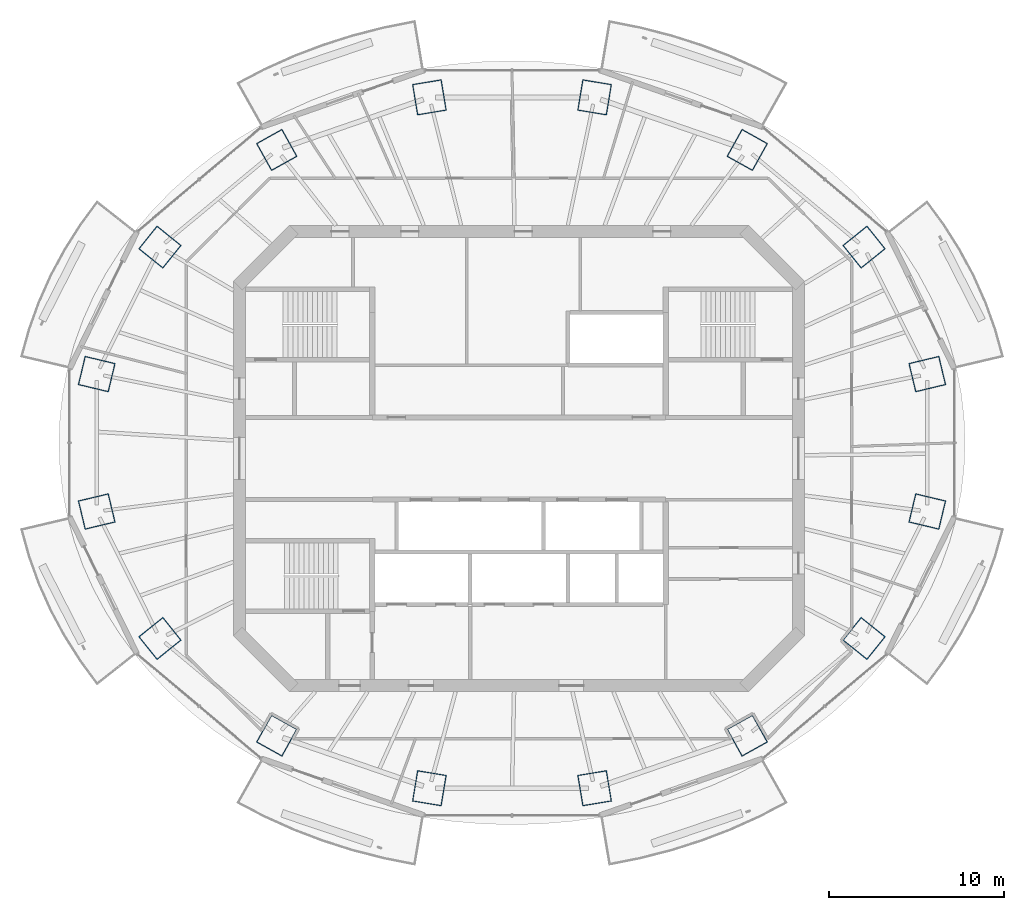
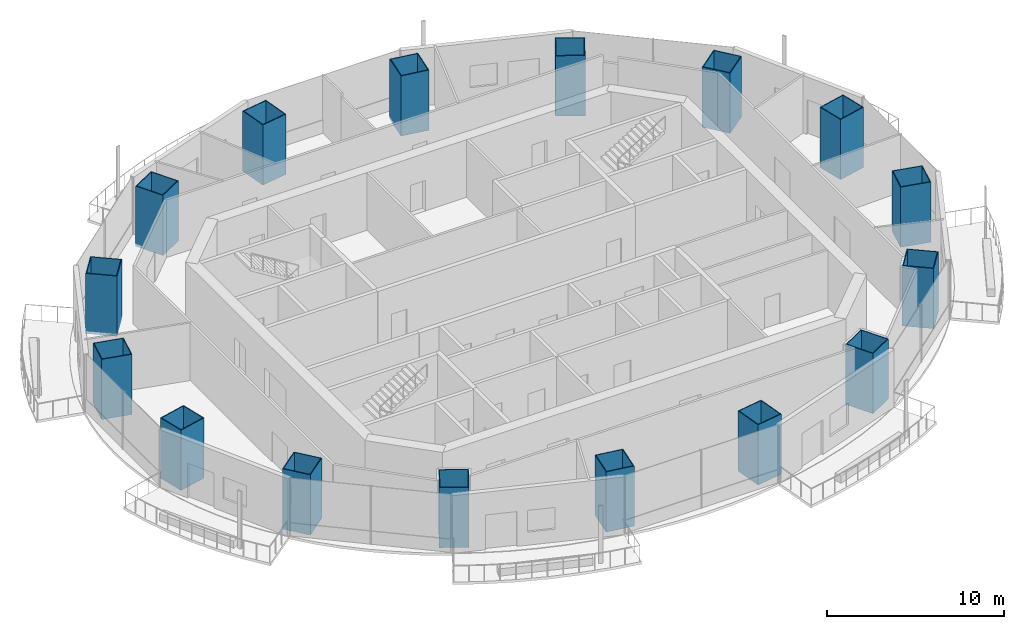
# One storey, part 1 of 16: 16 columns.
"""IFC4 building model written with IfcOpenShell, lengths in metres."""

from ifc_helpers import new_model, si_unit, direction, frame, origin, origin_2d, place, context, subcontext, project, spatial, rectangle, hollow_rectangle, extrude, material, material_profile, profile_set, type_object, element, save


model = new_model("IFC4")

# Units and contexts
model_context = context("Model", 3, precision=1e-05, world=origin(), true_north=direction((0.0, 1.0)))
body_context = subcontext(model_context, "Body", "Model", "MODEL_VIEW")
ifc_project = project(units=[si_unit("LENGTHUNIT", "METRE"), si_unit("AREAUNIT", "SQUARE_METRE"), si_unit("VOLUMEUNIT", "CUBIC_METRE"), si_unit("PLANEANGLEUNIT", "RADIAN"), si_unit("MASSUNIT", "GRAM", prefix="KILO")], contexts=[model_context])

# Site, building, storey
site_placement = place(None, origin())
site = spatial("IfcSite", under=ifc_project, at=site_placement, CompositionType="ELEMENT")
building_placement = place(site_placement, origin())
building = spatial("IfcBuilding", under=site, at=building_placement, Name="Marenthal Gate Tower", CompositionType="ELEMENT")
storey_placement = place(building_placement, frame((0.0, 0.0, 379.949951171875)))
storey = spatial("IfcBuildingStorey", under=building, at=storey_placement, Name="L86", CompositionType="ELEMENT", Elevation=379.949951171875)

# Columns
ifc_material_1 = material(Name="Steel S460", Category="steel")
ifc_material_profile_1 = material_profile(ifc_material_1, hollow_rectangle(XDim=1.699951171875, YDim=1.800048828125, WallThickness=0.050048828125, at=origin_2d()), Name="CFT BOX 1800X1700X50")
ifc_material_2 = material(Name="Concrete 70 MPa", Category="concrete")
ifc_material_profile_2 = material_profile(ifc_material_2, rectangle(XDim=1.60009765625, YDim=1.699951171875, at=origin_2d()), Name="CFT BOX 1800X1700X50 INFILL")
ifc_profile_set = profile_set([ifc_material_profile_1, ifc_material_profile_2], Name="Steel S460 shell, Concrete 70 MPa infill")
column_type = type_object("IfcColumnType", Name="CFT BOX 1800X1700X50", PredefinedType="COLUMN", material=ifc_profile_set)
for number, where, z_axis, x_axis, name in (
    (1, (23.376220703125, 4.833984375, -0.179931640625), (0.0, 0.0, 1.0), (0.232571260253, -0.972579358667, 0.0), "COL-L86-01"),
    (2, (19.756591796875, 12.10302734375, -0.179931640625), (0.0, 0.0, 1.0), (0.626248733812, -0.779623321482, 0.0), "COL-L86-02"),
    (3, (13.068115234375, 17.66650390625, -0.179931640625), (0.0, 0.0, 1.0), (0.874064905917, -0.485809160314, 0.0), "COL-L86-03"),
    (4, (4.329345703125, 20.677490234375, -0.179931640625), (0.0, 0.0, 1.0), (0.986586410729, -0.163239866957, 0.0), "COL-L86-04"),
    (5, (-5.12939453125, 20.677490234375, -0.179931640625), (0.0, 0.0, 1.0), (0.986586410729, 0.163239866957, 0.0), "COL-L86-05"),
    (6, (-13.8681640625, 17.66650390625, -0.179931640625), (0.0, 0.0, 1.0), (0.874064905917, 0.485809160314, 0.0), "COL-L86-06"),
    (7, (-20.556396484375, 12.10302734375, -0.179931640625), (0.0, 0.0, 1.0), (0.626248733812, 0.779623321482, 0.0), "COL-L86-07"),
    (8, (-24.17626953125, 4.833984375, -0.179931640625), (0.0, 0.0, 1.0), (0.232571260253, 0.972579358667, 0.0), "COL-L86-08"),
    (9, (-24.17626953125, -3.033935546875, -0.179931640625), (0.0, 0.0, 1.0), (-0.232571260253, 0.972579358667, 0.0), "COL-L86-09"),
    (10, (-20.556396484375, -10.302978515625, -0.179931640625), (0.0, 0.0, 1.0), (-0.626248733812, 0.779623321482, 0.0), "COL-L86-10"),
    (11, (-13.8681640625, -15.86669921875, -0.179931640625), (0.0, 0.0, 1.0), (-0.874064905917, 0.485809160314, 0.0), "COL-L86-11"),
    (12, (-5.12939453125, -18.87744140625, -0.179931640625), (0.0, 0.0, 1.0), (-0.986586410729, 0.163239866957, 0.0), "COL-L86-12"),
    (13, (4.329345703125, -18.87744140625, -0.179931640625), (0.0, 0.0, 1.0), (-0.986586410729, -0.163239866957, 0.0), "COL-L86-13"),
    (14, (13.068115234375, -15.86669921875, -0.179931640625), (0.0, 0.0, 1.0), (-0.874064905917, -0.485809160314, 0.0), "COL-L86-14"),
    (15, (19.756591796875, -10.302978515625, -0.179931640625), (0.0, 0.0, 1.0), (-0.626248733812, -0.779623321482, 0.0), "COL-L86-15"),
    (16, (23.376220703125, -3.033935546875, -0.179931640625), (0.0, 0.0, 1.0), (-0.232571260253, -0.972579358667, 0.0), "COL-L86-16"),
):
    element("IfcColumn", number, at=place(storey_placement, frame(where, z_axis=z_axis, x_axis=x_axis)), inside=storey, type_object=column_type, Name=name, PredefinedType="COLUMN", context=body_context, shape_type="SweptSolid", body=[
        extrude(hollow_rectangle(XDim=1.699951171875, YDim=1.800048828125, WallThickness=0.050048828125, at=origin_2d()), origin(), (0.0, 0.0, 1.0), 4.14990234375),
    ])

save(model, "model.ifc")
